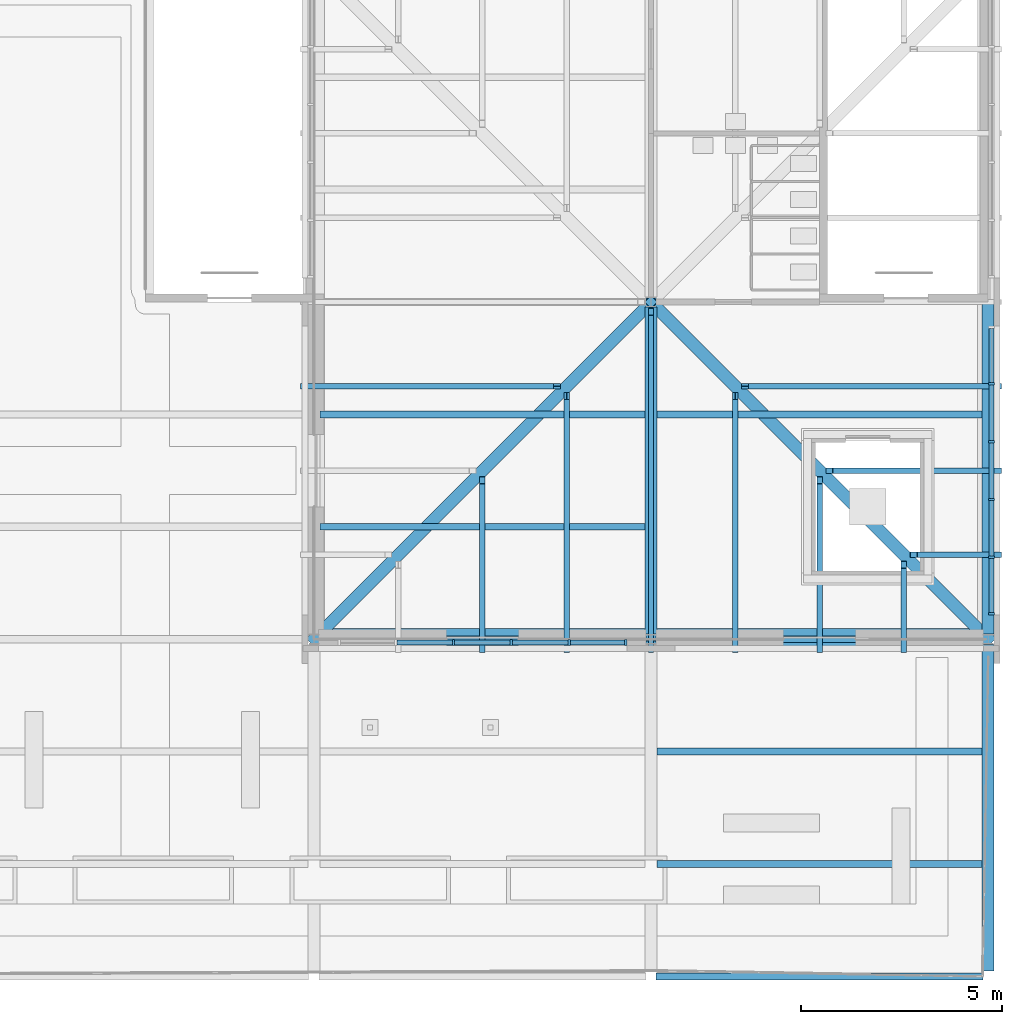
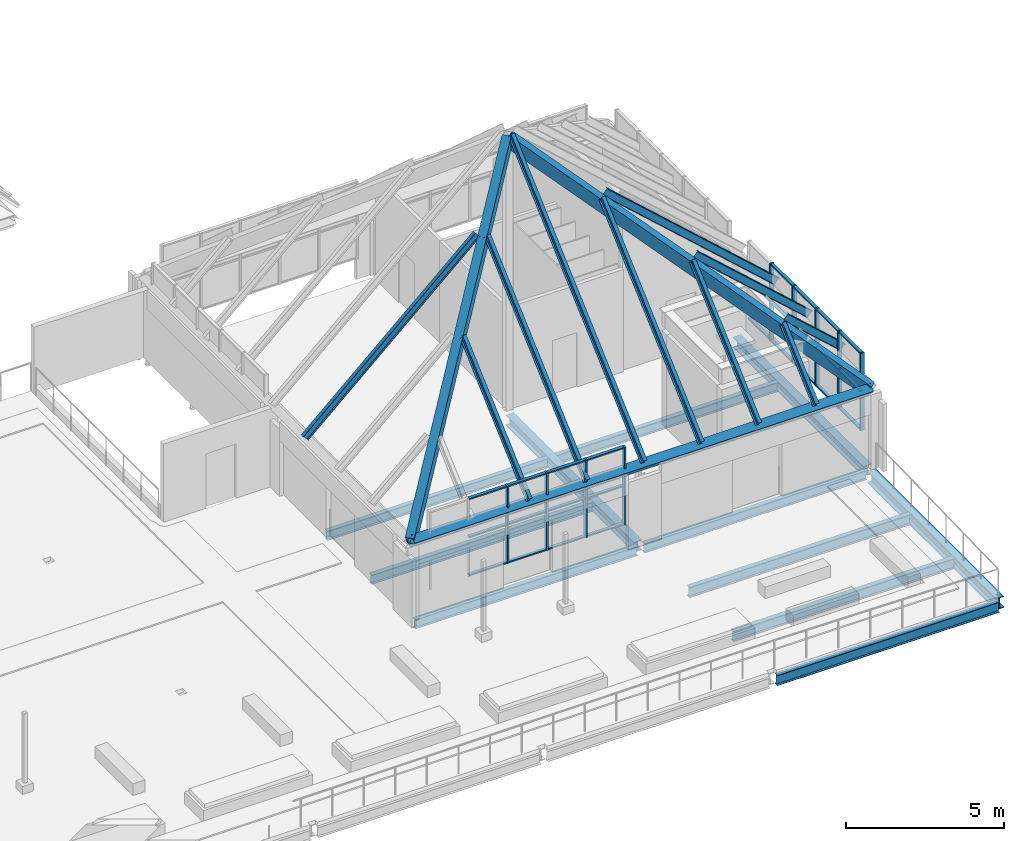
# One storey, part 35 of 126: 45 members, 14 beams, 2 elements without a shape of their own.
"""IFC4 building model written with IfcOpenShell, lengths in metres."""

import ifcopenshell
import ifcopenshell.guid

model = None  # the IFC model being written
_history = None  # IfcOwnerHistory: only IFC2X3 demands one
_inside = {}  # id of a spatial element -> (the spatial element, [elements in it])
_under = {}  # id of a project, library or spatial element -> (it, [spatial elements below it])
_declared = {}  # id of a project -> (the project, [libraries it declares])
_typed = {}  # id of a type object -> (the type object, [elements of that type])
_made_of = {}  # id of a material, layer set ... -> (it, [elements and type objects made of it])


def new_model(schema):
    """Start an empty IFC model of exactly this schema.

    Asked for "IFC4X3", IfcOpenShell would pick the latest addendum, in which some entities
    have other attributes; the version numbers below select the first issue.
    IFC2X3 requires an IfcOwnerHistory on every rooted entity: one is made here for all.
    """
    global model, _history
    if schema == "IFC4X3":
        model = ifcopenshell.file(schema_version=(4, 3, 0, 0))
    else:
        model = ifcopenshell.file(schema=schema)
    _inside.clear()
    _under.clear()
    _declared.clear()
    _typed.clear()
    _made_of.clear()
    _history = None
    if model.schema == "IFC2X3":
        org = make("IfcOrganization", Name="unknown")
        user = make(
            "IfcPersonAndOrganization",
            ThePerson=make("IfcPerson", FamilyName="unknown"),
            TheOrganization=org,
        )
        app = make(
            "IfcApplication",
            ApplicationDeveloper=org,
            Version="unknown",
            ApplicationFullName="unknown",
            ApplicationIdentifier="unknown",
        )
        _history = make(
            "IfcOwnerHistory",
            OwningUser=user,
            OwningApplication=app,
            ChangeAction="ADDED",
            CreationDate=0,
        )
    return model


def make(cls, **values):
    """One entity of the class cls with the attributes given. An attribute that is None is left unset."""
    return model.create_entity(
        cls, **{name: value for name, value in values.items() if value is not None}
    )


def rooted(cls, **values):
    """An entity with a GlobalId (a new one), such as an element, a storey or a relation."""
    return make(cls, GlobalId=ifcopenshell.guid.new(), OwnerHistory=_history, **values)


def si_unit(unit_type, name, prefix=None):
    """IfcSIUnit, for example si_unit("LENGTHUNIT", "METRE", prefix="MILLI")."""
    return make("IfcSIUnit", UnitType=unit_type, Prefix=prefix, Name=name)


def assignment(units):
    """IfcUnitAssignment: the units of a project."""
    return None if units is None else make("IfcUnitAssignment", Units=units)


def point(xyz):
    """IfcCartesianPoint."""
    return None if xyz is None else make("IfcCartesianPoint", Coordinates=xyz)


def direction(xyz):
    """IfcDirection."""
    return None if xyz is None else make("IfcDirection", DirectionRatios=xyz)


def frame(location, z_axis=None, x_axis=None):
    """IfcAxis2Placement3D, a coordinate frame: its origin and axes. An axis left out is left unset."""
    return make(
        "IfcAxis2Placement3D",
        Location=point(location),
        Axis=direction(z_axis),
        RefDirection=direction(x_axis),
    )


def frame_2d(location, x_axis=None):
    """IfcAxis2Placement2D, a coordinate frame in the plane: its origin and x axis."""
    return make(
        "IfcAxis2Placement2D", Location=point(location), RefDirection=direction(x_axis)
    )


def origin():
    """The frame at (0, 0, 0) with its axes left unset."""
    return frame((0.0, 0.0, 0.0))


def origin_2d():
    """The frame at (0, 0) in the plane with its x axis left unset."""
    return frame_2d((0.0, 0.0))


def place(relative_to, where):
    """IfcLocalPlacement: puts the frame where relative to a parent placement (None: the world)."""
    return make(
        "IfcLocalPlacement", PlacementRelTo=relative_to, RelativePlacement=where
    )


def context(
    kind, dimensions, precision=None, world=None, true_north=None, identifier=None
):
    """IfcGeometricRepresentationContext, for example the 3D "Model" context."""
    return make(
        "IfcGeometricRepresentationContext",
        ContextIdentifier=identifier,
        ContextType=kind,
        CoordinateSpaceDimension=dimensions,
        Precision=precision,
        WorldCoordinateSystem=world,
        TrueNorth=true_north,
    )


def subcontext(parent, identifier, kind, view, scale=None):
    """IfcGeometricRepresentationSubContext, for example "Body" below "Model"."""
    return make(
        "IfcGeometricRepresentationSubContext",
        ContextIdentifier=identifier,
        ContextType=kind,
        ParentContext=parent,
        TargetScale=scale,
        TargetView=view,
    )


def project(units=None, contexts=None):
    """IfcProject with its units and contexts."""
    return rooted(
        "IfcProject",
        Name="project",
        RepresentationContexts=contexts,
        UnitsInContext=assignment(units),
    )


def spatial(cls, under=None, at=None, **own):
    """A site, building, storey or space (cls), placed at a placement, below another one or the project."""
    s = rooted(cls, ObjectPlacement=at, **own)
    if under is not None:
        _under.setdefault(under.id(), (under, []))[1].append(s)
    return s


def polyline(points):
    """IfcPolyline through the points."""
    return make("IfcPolyline", Points=[point(p) for p in points])


def profile(cls, at=None, kind="AREA", **sizes):
    """A parametric profile (cls). Its sizes go by their IFC names, for example OverallWidth=200.0."""
    return make(cls, ProfileType=kind, Position=at, **sizes)


def rectangle(**sizes):
    """IfcRectangleProfileDef."""
    return profile("IfcRectangleProfileDef", **sizes)


def i_section(**sizes):
    """IfcIShapeProfileDef."""
    return profile("IfcIShapeProfileDef", **sizes)


def outline(outer, holes=None, kind="AREA"):
    """IfcArbitraryClosedProfileDef: a profile drawn as a closed curve; with holes, ...WithVoids."""
    if holes is None:
        return make("IfcArbitraryClosedProfileDef", ProfileType=kind, OuterCurve=outer)
    return make(
        "IfcArbitraryProfileDefWithVoids",
        ProfileType=kind,
        OuterCurve=outer,
        InnerCurves=holes,
    )


def extrude(swept, where, along, depth):
    """IfcExtrudedAreaSolid: the profile swept, set in the frame where, extruded along a direction by depth."""
    return make(
        "IfcExtrudedAreaSolid",
        SweptArea=swept,
        Position=where,
        ExtrudedDirection=direction(along),
        Depth=depth,
    )


def shape(context_of_items, identifier, shape_type, items):
    """IfcShapeRepresentation: the items that make up one representation, for example the "Body"."""
    return make(
        "IfcShapeRepresentation",
        ContextOfItems=context_of_items,
        RepresentationIdentifier=identifier,
        RepresentationType=shape_type,
        Items=items,
    )


def material(Name=None, Category=None):
    """IfcMaterial."""
    return make("IfcMaterial", Name=Name, Category=Category)


def material_profile(
    of_material, cross_section, Name=None, Category=None, Priority=None
):
    """IfcMaterialProfile: a cross section and its material."""
    return make(
        "IfcMaterialProfile",
        Name=Name,
        Material=of_material,
        Profile=cross_section,
        Priority=Priority,
        Category=Category,
    )


def profile_set(profiles, Name=None, composite=None):
    """IfcMaterialProfileSet."""
    return make(
        "IfcMaterialProfileSet",
        Name=Name,
        MaterialProfiles=profiles,
        CompositeProfile=composite,
    )


def made_of(thing, what):
    """Note that an element or type object is made of a material, layer set ...; save() writes the relation."""
    if what is not None:
        _made_of.setdefault(what.id(), (what, []))[1].append(thing)
    return thing


def type_object(cls, material=None, **own):
    """A type object (cls), such as IfcWallType, which elements share."""
    return made_of(rooted(cls, **own), material)


def element(
    cls,
    number,
    at=None,
    inside=None,
    cuts=None,
    type_object=None,
    material=None,
    context=None,
    identifier="Body",
    shape_type=None,
    held_by="IfcProductDefinitionShape",
    body=None,
    shapes=None,
    **own,
):
    """One element of the class cls, such as IfcWall. Its Tag is "e" and its number.

    at: its placement. inside: the storey or other place that contains it. cuts: it is an
    opening in that element (IfcRelVoidsElement). A single representation is given by context,
    identifier, shape_type and body (its items); several are given by shapes. held_by: the class
    of the entity that holds the representations. save() writes the other relations.
    """
    e = rooted(cls, Tag="e%d" % number, ObjectPlacement=at, **own)
    if body is not None:
        shapes = [shape(context, identifier, shape_type, body)]
    if shapes is not None:
        e.Representation = make(held_by, Representations=shapes)
    if inside is not None:
        _inside.setdefault(inside.id(), (inside, []))[1].append(e)
    if cuts is not None:
        rooted(
            "IfcRelVoidsElement", RelatingBuildingElement=cuts, RelatedOpeningElement=e
        )
    if type_object is not None:
        _typed.setdefault(type_object.id(), (type_object, []))[1].append(e)
    return made_of(e, material)


def aggregate(whole, parts):
    """IfcRelAggregates: a whole, such as a stair, and the parts it consists of."""
    return rooted("IfcRelAggregates", RelatingObject=whole, RelatedObjects=parts)


def save(model, path):
    """Write the relations noted so far, then the file.

    IfcRelAggregates (storeys below a building ...), IfcRelContainedInSpatialStructure (elements
    in a storey), IfcRelDefinesByType, IfcRelAssociatesMaterial and IfcRelDeclares: one each for
    every whole, place, type object, material and project.
    """
    for whole, parts in _under.values():
        aggregate(whole, parts)
    for where, things in _inside.values():
        rooted(
            "IfcRelContainedInSpatialStructure",
            RelatedElements=things,
            RelatingStructure=where,
        )
    for kind, things in _typed.values():
        rooted("IfcRelDefinesByType", RelatedObjects=things, RelatingType=kind)
    for what, things in _made_of.values():
        rooted("IfcRelAssociatesMaterial", RelatedObjects=things, RelatingMaterial=what)
    for by, libraries in _declared.values():
        rooted("IfcRelDeclares", RelatingContext=by, RelatedDefinitions=libraries)
    model.write(path)


model = new_model("IFC4")

# Units and contexts
model_context = context("Model", 3, precision=1e-05, world=origin(), true_north=direction((0.0, 1.0)))
body_context = subcontext(model_context, "Body", "Model", "MODEL_VIEW")
ifc_project = project(units=[si_unit("LENGTHUNIT", "METRE"), si_unit("AREAUNIT", "SQUARE_METRE"), si_unit("VOLUMEUNIT", "CUBIC_METRE"), si_unit("PLANEANGLEUNIT", "RADIAN"), si_unit("MASSUNIT", "GRAM", prefix="KILO")], contexts=[model_context])

# Site, building, storey
site_placement = place(None, origin())
site = spatial("IfcSite", under=ifc_project, at=site_placement, CompositionType="ELEMENT")
building_placement = place(site_placement, origin())
building = spatial("IfcBuilding", under=site, at=building_placement, Name="Sava Quay Ferry Terminal", CompositionType="ELEMENT")
storey_placement = place(building_placement, frame((0.0, 0.0, 15.0)))
storey = spatial("IfcBuildingStorey", under=building, at=storey_placement, Name="L03", CompositionType="ELEMENT", Elevation=15.0)

# Beams
ifc_material_1 = material(Name="Steel S355", Category="steel")
ifc_material_profile_1 = material_profile(ifc_material_1, i_section(OverallWidth=0.169921875, OverallDepth=0.360107421875, WebThickness=0.008056640625, FlangeThickness=0.0126953125, at=origin_2d()), Name="IPE 360")
ifc_profile_set_1 = profile_set([ifc_material_profile_1], Name="Steel S355")
beam_type_1 = type_object("IfcBeamType", Name="Beam IPE 360", PredefinedType="BEAM", material=ifc_profile_set_1)
beam_1_placement = place(storey_placement, frame((109.330078125, 33.60009765625, -0.330078125), z_axis=(1.0, 0.0, 0.0), x_axis=(0.0, 1.0, 0.0)))
element("IfcBeam", 1, at=beam_1_placement, inside=storey, type_object=beam_type_1, Name="Beam L03", PredefinedType="BEAM", context=body_context, shape_type="SweptSolid", body=[
    extrude(i_section(OverallWidth=0.169921875, OverallDepth=0.360107421875, WebThickness=0.008056640625, FlangeThickness=0.0126953125, at=origin_2d()), origin(), (0.0, 0.0, 1.0), 8.139892578125),
])
beam_2_placement = place(storey_placement, frame((117.72998046875, 33.60009765625, -0.330078125), z_axis=(1.0, 0.0, 0.0), x_axis=(0.0, 1.0, 0.0)))
element("IfcBeam", 2, at=beam_2_placement, inside=storey, type_object=beam_type_1, Name="Beam L03", PredefinedType="BEAM", context=body_context, shape_type="SweptSolid", body=[
    extrude(i_section(OverallWidth=0.169921875, OverallDepth=0.360107421875, WebThickness=0.008056640625, FlangeThickness=0.0126953125, at=origin_2d()), origin(), (0.0, 0.0, 1.0), 8.14013671875),
])
for number, where, z_axis, x_axis, name in (
    (3, (109.35009765625, 36.39990234375, -0.31005859375), (1.0, 0.0, 0.0), (0.0, 1.0, 0.0), "Secondary beam L03"),
    (4, (109.35009765625, 39.199951171875, -0.31005859375), (1.0, 0.0, 0.0), (0.0, 1.0, 0.0), "Secondary beam L03"),
):
    element("IfcBeam", number, at=place(storey_placement, frame(where, z_axis=z_axis, x_axis=x_axis)), inside=storey, type_object=beam_type_1, Name=name, PredefinedType="BEAM", context=body_context, shape_type="SweptSolid", body=[
        extrude(i_section(OverallWidth=0.169921875, OverallDepth=0.360107421875, WebThickness=0.008056640625, FlangeThickness=0.0126953125, at=origin_2d()), origin(), (0.0, 0.0, 1.0), 8.099853515625),
    ])
beam_3_placement = place(storey_placement, frame((117.75, 39.199951171875, -0.31005859375), z_axis=(1.0, 0.0, 0.0), x_axis=(0.0, 1.0, 0.0)))
element("IfcBeam", 5, at=beam_3_placement, inside=storey, type_object=beam_type_1, Name="Secondary beam L03", PredefinedType="BEAM", context=body_context, shape_type="SweptSolid", body=[
    extrude(i_section(OverallWidth=0.169921875, OverallDepth=0.360107421875, WebThickness=0.008056640625, FlangeThickness=0.0126953125, at=origin_2d()), origin(), (0.0, 0.0, 1.0), 8.10009765625),
])
ifc_material_2 = material(Name="Steel S355", Category="steel")
ifc_material_profile_2 = material_profile(ifc_material_2, i_section(OverallWidth=0.179931640625, OverallDepth=0.39990234375, WebThickness=0.008544921875, FlangeThickness=0.013427734375, at=origin_2d()), Name="IPE 400")
ifc_profile_set_2 = profile_set([ifc_material_profile_2], Name="Steel S355")
beam_type_2 = type_object("IfcBeamType", Name="Beam IPE 400", PredefinedType="BEAM", material=ifc_profile_set_2)
beam_4_placement = place(storey_placement, frame((117.72998046875, 25.199951171875, -0.35009765625), z_axis=(1.0, 0.0, 0.0), x_axis=(0.0, 1.0, 0.0)))
element("IfcBeam", 6, at=beam_4_placement, inside=storey, type_object=beam_type_2, Name="Beam L03", PredefinedType="BEAM", context=body_context, shape_type="SweptSolid", body=[
    extrude(i_section(OverallWidth=0.179931640625, OverallDepth=0.39990234375, WebThickness=0.008544921875, FlangeThickness=0.013427734375, at=origin_2d()), origin(), (0.0, 0.0, 1.0), 8.14013671875),
])
for number, where, z_axis, x_axis, name in (
    (7, (117.75, 28.0, -0.35009765625), (1.0, 0.0, 0.0), (0.0, 1.0, 0.0), "Secondary beam L03"),
    (8, (117.75, 30.800048828125, -0.35009765625), (1.0, 0.0, 0.0), (0.0, 1.0, 0.0), "Secondary beam L03"),
):
    element("IfcBeam", number, at=place(storey_placement, frame(where, z_axis=z_axis, x_axis=x_axis)), inside=storey, type_object=beam_type_2, Name=name, PredefinedType="BEAM", context=body_context, shape_type="SweptSolid", body=[
        extrude(i_section(OverallWidth=0.179931640625, OverallDepth=0.39990234375, WebThickness=0.008544921875, FlangeThickness=0.013427734375, at=origin_2d()), origin(), (0.0, 0.0, 1.0), 8.10009765625),
    ])
ifc_material_3 = material(Name="Steel S355", Category="steel")
ifc_material_profile_3 = material_profile(ifc_material_3, outline(polyline([(-0.14990234375, -0.228515625), (0.14990234375, -0.228515625), (0.14990234375, 0.228515625), (-0.14990234375, 0.228515625), (-0.14990234375, -0.228515625)]), holes=[polyline([(-0.1298828125, -0.20849609375), (-0.1298828125, 0.20849609375), (0.1298828125, 0.20849609375), (0.1298828125, -0.20849609375), (-0.1298828125, -0.20849609375)])]), Name="Box 457x300x20 built-up")
ifc_profile_set_3 = profile_set([ifc_material_profile_3], Name="Steel S355")
beam_type_3 = type_object("IfcBeamType", Name="Fascia beam Box 457x300x20", PredefinedType="BEAM", material=ifc_profile_set_3)
beam_5_placement = place(storey_placement, frame((117.60009765625, 42.0, 10.46337890625), z_axis=(-0.596480074169, -0.59646273816, -0.53706957008), x_axis=(0.707096505339, -0.707117056885, 0.0)))
element("IfcBeam", 9, at=beam_5_placement, inside=storey, type_object=beam_type_3, Name="East pavilion hip fascia beam HI1", PredefinedType="BEAM", context=body_context, shape_type="SweptSolid", body=[
    extrude(outline(polyline([(-0.14990234375, -0.228515625), (0.14990234375, -0.228515625), (0.14990234375, 0.228515625), (-0.14990234375, 0.228515625), (-0.14990234375, -0.228515625)]), holes=[polyline([(-0.1298828125, -0.20849609375), (-0.1298828125, 0.20849609375), (0.1298828125, 0.20849609375), (0.1298828125, -0.20849609375), (-0.1298828125, -0.20849609375)])]), origin(), (0.0, 0.0, 1.0), 14.082763671875),
])
beam_6_placement = place(storey_placement, frame((109.199951171875, 33.60009765625, 2.89990234375), z_axis=(1.0, 0.0, 0.0), x_axis=(0.0, 0.743144825477, 0.669130606359)))
element("IfcBeam", 10, at=beam_6_placement, inside=storey, type_object=beam_type_3, Name="East pavilion eave fascia beam EA2", PredefinedType="BEAM", context=body_context, shape_type="SweptSolid", body=[
    extrude(outline(polyline([(-0.14990234375, -0.228515625), (0.14990234375, -0.228515625), (0.14990234375, 0.228515625), (-0.14990234375, 0.228515625), (-0.14990234375, -0.228515625)]), holes=[polyline([(-0.1298828125, -0.20849609375), (-0.1298828125, 0.20849609375), (0.1298828125, 0.20849609375), (0.1298828125, -0.20849609375), (-0.1298828125, -0.20849609375)])]), origin(), (0.0, 0.0, 1.0), 16.800048828125),
])
beam_7_placement = place(storey_placement, frame((126.0, 33.60009765625, 2.89990234375), z_axis=(-0.596468905939, 0.596468905939, 0.537075123699), x_axis=(-0.707106781187, -0.707106781187, 0.0)))
element("IfcBeam", 11, at=beam_7_placement, inside=storey, type_object=beam_type_3, Name="East pavilion hip fascia beam HI3", PredefinedType="BEAM", context=body_context, shape_type="SweptSolid", body=[
    extrude(outline(polyline([(-0.14990234375, -0.228515625), (0.14990234375, -0.228515625), (0.14990234375, 0.228515625), (-0.14990234375, 0.228515625), (-0.14990234375, -0.228515625)]), holes=[polyline([(-0.1298828125, -0.20849609375), (-0.1298828125, 0.20849609375), (0.1298828125, 0.20849609375), (0.1298828125, -0.20849609375), (-0.1298828125, -0.20849609375)])]), origin(), (0.0, 0.0, 1.0), 14.082763671875),
])
ifc_material_4 = material(Name="Steel S355", Category="steel")
ifc_material_profile_4 = material_profile(ifc_material_4, i_section(OverallWidth=0.300048828125, OverallDepth=0.389892578125, WebThickness=0.010986328125, FlangeThickness=0.01904296875, at=origin_2d()), Name="HE 400 A")
ifc_profile_set_4 = profile_set([ifc_material_profile_4], Name="Steel S355")
beam_type_4 = type_object("IfcBeamType", Name="Girder HE 400 A", PredefinedType="BEAM", material=ifc_profile_set_4)
beam_8_placement = place(storey_placement, frame((117.60009765625, 33.72998046875, -0.324951171875), z_axis=(0.0, 1.0, 0.0), x_axis=(-1.0, 0.0, 0.0)))
element("IfcBeam", 12, at=beam_8_placement, inside=storey, type_object=beam_type_4, Name="Girder L03", PredefinedType="BEAM", context=body_context, shape_type="SweptSolid", body=[
    extrude(i_section(OverallWidth=0.300048828125, OverallDepth=0.389892578125, WebThickness=0.010986328125, FlangeThickness=0.01904296875, at=origin_2d()), origin(), (0.0, 0.0, 1.0), 8.14013671875),
])
beam_9_placement = place(storey_placement, frame((126.0, 33.72998046875, -0.324951171875), z_axis=(0.0, 1.0, 0.0), x_axis=(-1.0, 0.0, 0.0)))
element("IfcBeam", 13, at=beam_9_placement, inside=storey, type_object=beam_type_4, Name="Girder L03", PredefinedType="BEAM", context=body_context, shape_type="SweptSolid", body=[
    extrude(i_section(OverallWidth=0.300048828125, OverallDepth=0.389892578125, WebThickness=0.010986328125, FlangeThickness=0.01904296875, at=origin_2d()), origin(), (0.0, 0.0, 1.0), 8.27001953125),
])
ifc_material_5 = material(Name="Steel S355", Category="steel")
ifc_material_profile_5 = material_profile(ifc_material_5, i_section(OverallWidth=0.300048828125, OverallDepth=0.449951171875, WebThickness=0.013916015625, FlangeThickness=0.02587890625, at=origin_2d()), Name="HE 450 B")
ifc_profile_set_5 = profile_set([ifc_material_profile_5], Name="Steel S355")
beam_type_5 = type_object("IfcBeamType", Name="Girder HE 450 B", PredefinedType="BEAM", material=ifc_profile_set_5)
beam_10_placement = place(storey_placement, frame((126.0, 25.330078125, -0.375), z_axis=(0.0, 1.0, 0.0), x_axis=(-1.0, 0.0, 0.0)))
element("IfcBeam", 14, at=beam_10_placement, inside=storey, type_object=beam_type_5, Name="Girder L03", PredefinedType="BEAM", context=body_context, shape_type="SweptSolid", body=[
    extrude(i_section(OverallWidth=0.300048828125, OverallDepth=0.449951171875, WebThickness=0.013916015625, FlangeThickness=0.02587890625, at=origin_2d()), origin(), (0.0, 0.0, 1.0), 8.139892578125),
])

# Curtain wall, members
ifc_material_6 = material(Name="Aluminium and glass curtain wall, double low-e glazed", Category="aluminium")
curtain_wall_type = type_object("IfcCurtainWallType", Name="Curtain wall CW-F flank", PredefinedType="NOTDEFINED", material=ifc_material_6)
curtain_wall_1_placement = place(storey_placement, origin())
curtain_wall_1 = element("IfcCurtainWall", 15, at=curtain_wall_1_placement, inside=storey, type_object=curtain_wall_type, Name="Curtain wall P-PAV-E L03 bay 1", PredefinedType="NOTDEFINED")
ifc_material_7 = material(Name="Aluminium EN AW-6063 T6", Category="aluminium")
ifc_material_profile_6 = material_profile(ifc_material_7, rectangle(XDim=0.14990234375, YDim=0.06005859375, at=origin_2d()), Name="Mullion 60x150 aluminium")
ifc_profile_set_6 = profile_set([ifc_material_profile_6], Name="Aluminium EN AW-6063 T6")
member_type_1 = type_object("IfcMemberType", Name="Mullion 60x150 aluminium", PredefinedType="MULLION", material=ifc_profile_set_6)
member_1_placement = place(storey_placement, frame((126.0849609375, 34.22998046875, 0.89990234375), z_axis=(0.0, 0.0, 1.0), x_axis=(-1.0, 0.0, 0.0)))
member_1 = element("IfcMember", 16, at=member_1_placement, type_object=member_type_1, Name="CW113 mullion 1", PredefinedType="MULLION", context=body_context, shape_type="SweptSolid", body=[
    extrude(rectangle(XDim=0.14990234375, YDim=0.06005859375, at=origin_2d()), origin(), (0.0, 0.0, 1.0), 3.0),
])
member_2_placement = place(storey_placement, frame((126.0849609375, 35.639892578125, 0.89990234375), z_axis=(0.0, 0.0, 1.0), x_axis=(-1.0, 0.0, 0.0)))
member_2 = element("IfcMember", 17, at=member_2_placement, type_object=member_type_1, Name="CW113 mullion 2", PredefinedType="MULLION", context=body_context, shape_type="SweptSolid", body=[
    extrude(rectangle(XDim=0.14990234375, YDim=0.06005859375, at=origin_2d()), origin(), (0.0, 0.0, 1.0), 3.0),
])
member_3_placement = place(storey_placement, frame((126.0849609375, 37.080078125, 0.89990234375), z_axis=(0.0, 0.0, 1.0), x_axis=(-1.0, 0.0, 0.0)))
member_3 = element("IfcMember", 18, at=member_3_placement, type_object=member_type_1, Name="CW113 mullion 3", PredefinedType="MULLION", context=body_context, shape_type="SweptSolid", body=[
    extrude(rectangle(XDim=0.14990234375, YDim=0.06005859375, at=origin_2d()), origin(), (0.0, 0.0, 1.0), 3.0),
])
member_4_placement = place(storey_placement, frame((126.0849609375, 38.52001953125, 0.89990234375), z_axis=(0.0, 0.0, 1.0), x_axis=(-1.0, 0.0, 0.0)))
member_4 = element("IfcMember", 19, at=member_4_placement, type_object=member_type_1, Name="CW113 mullion 4", PredefinedType="MULLION", context=body_context, shape_type="SweptSolid", body=[
    extrude(rectangle(XDim=0.14990234375, YDim=0.06005859375, at=origin_2d()), origin(), (0.0, 0.0, 1.0), 3.0),
])
member_5_placement = place(storey_placement, frame((126.0849609375, 39.9599609375, 0.89990234375), z_axis=(0.0, 0.0, 1.0), x_axis=(-1.0, 0.0, 0.0)))
member_5 = element("IfcMember", 20, at=member_5_placement, type_object=member_type_1, Name="CW113 mullion 5", PredefinedType="MULLION", context=body_context, shape_type="SweptSolid", body=[
    extrude(rectangle(XDim=0.14990234375, YDim=0.06005859375, at=origin_2d()), origin(), (0.0, 0.0, 1.0), 3.0),
])

curtain_wall_2_placement = place(storey_placement, origin())
curtain_wall_2 = element("IfcCurtainWall", 21, at=curtain_wall_2_placement, inside=storey, type_object=curtain_wall_type, Name="Curtain wall P-PAV-S L03 bay 1", PredefinedType="NOTDEFINED")
member_6_placement = place(storey_placement, frame((112.679931640625, 33.514892578125, 0.89990234375), z_axis=(0.0, 0.0, 1.0), x_axis=(0.0, 1.0, 0.0)))
member_6 = element("IfcMember", 22, at=member_6_placement, type_object=member_type_1, Name="CW117 mullion 3", PredefinedType="MULLION", context=body_context, shape_type="SweptSolid", body=[
    extrude(rectangle(XDim=0.14990234375, YDim=0.06005859375, at=origin_2d()), origin(), (0.0, 0.0, 1.0), 3.0),
])
member_7_placement = place(storey_placement, frame((114.1201171875, 33.514892578125, 0.89990234375), z_axis=(0.0, 0.0, 1.0), x_axis=(0.0, 1.0, 0.0)))
member_7 = element("IfcMember", 23, at=member_7_placement, type_object=member_type_1, Name="CW117 mullion 4", PredefinedType="MULLION", context=body_context, shape_type="SweptSolid", body=[
    extrude(rectangle(XDim=0.14990234375, YDim=0.06005859375, at=origin_2d()), origin(), (0.0, 0.0, 1.0), 3.0),
])
member_8_placement = place(storey_placement, frame((115.56005859375, 33.514892578125, 0.89990234375), z_axis=(0.0, 0.0, 1.0), x_axis=(0.0, 1.0, 0.0)))
member_8 = element("IfcMember", 24, at=member_8_placement, type_object=member_type_1, Name="CW117 mullion 5", PredefinedType="MULLION", context=body_context, shape_type="SweptSolid", body=[
    extrude(rectangle(XDim=0.14990234375, YDim=0.06005859375, at=origin_2d()), origin(), (0.0, 0.0, 1.0), 3.0),
])
member_9_placement = place(storey_placement, frame((116.969970703125, 33.514892578125, 0.89990234375), z_axis=(0.0, 0.0, 1.0), x_axis=(0.0, 1.0, 0.0)))
member_9 = element("IfcMember", 25, at=member_9_placement, type_object=member_type_1, Name="CW117 mullion 6", PredefinedType="MULLION", context=body_context, shape_type="SweptSolid", body=[
    extrude(rectangle(XDim=0.14990234375, YDim=0.06005859375, at=origin_2d()), origin(), (0.0, 0.0, 1.0), 3.0),
])

# Members
ifc_material_8 = material(Name="Steel S355", Category="steel")
ifc_material_profile_7 = material_profile(ifc_material_8, i_section(OverallWidth=0.135009765625, OverallDepth=0.27001953125, WebThickness=0.006591796875, FlangeThickness=0.01025390625, at=origin_2d()), Name="IPE 270")
ifc_profile_set_7 = profile_set([ifc_material_profile_7], Name="Steel S355")
member_type_2 = type_object("IfcMemberType", Name="Roof rafter IPE 270", PredefinedType="RAFTER", material=ifc_profile_set_7)
member_10_placement = place(storey_placement, frame((113.39990234375, 33.356689453125, 3.170166015625), z_axis=(0.0, 0.743156664694, 0.669117457342), x_axis=(-1.0, 0.0, 0.0)))
element("IfcMember", 26, at=member_10_placement, inside=storey, type_object=member_type_2, Name="East pavilion rafter RA2", PredefinedType="RAFTER", context=body_context, shape_type="SweptSolid", body=[
    extrude(i_section(OverallWidth=0.135009765625, OverallDepth=0.27001953125, WebThickness=0.006591796875, FlangeThickness=0.01025390625, at=origin_2d()), origin(), (0.0, 0.0, 1.0), 5.65185546875),
])
member_11_placement = place(storey_placement, frame((115.5, 33.356689453125, 3.170166015625), z_axis=(0.0, 0.743143770971, 0.669131777505), x_axis=(-1.0, 0.0, 0.0)))
element("IfcMember", 27, at=member_11_placement, inside=storey, type_object=member_type_2, Name="East pavilion rafter RA3", PredefinedType="RAFTER", context=body_context, shape_type="SweptSolid", body=[
    extrude(i_section(OverallWidth=0.135009765625, OverallDepth=0.27001953125, WebThickness=0.006591796875, FlangeThickness=0.01025390625, at=origin_2d()), origin(), (0.0, 0.0, 1.0), 8.4775390625),
])
member_12_placement = place(storey_placement, frame((117.60009765625, 33.356689453125, 3.170166015625), z_axis=(0.0, 0.74314699448, 0.66912819743), x_axis=(-1.0, 0.0, 0.0)))
element("IfcMember", 28, at=member_12_placement, inside=storey, type_object=member_type_2, Name="East pavilion rafter RA4", PredefinedType="RAFTER", context=body_context, shape_type="SweptSolid", body=[
    extrude(i_section(OverallWidth=0.135009765625, OverallDepth=0.27001953125, WebThickness=0.006591796875, FlangeThickness=0.01025390625, at=origin_2d()), origin(), (0.0, 0.0, 1.0), 11.303466796875),
])
member_13_placement = place(storey_placement, frame((119.699951171875, 33.356689453125, 3.170166015625), z_axis=(0.0, 0.743143770971, 0.669131777505), x_axis=(-1.0, 0.0, 0.0)))
element("IfcMember", 29, at=member_13_placement, inside=storey, type_object=member_type_2, Name="East pavilion rafter RA5", PredefinedType="RAFTER", context=body_context, shape_type="SweptSolid", body=[
    extrude(i_section(OverallWidth=0.135009765625, OverallDepth=0.27001953125, WebThickness=0.006591796875, FlangeThickness=0.01025390625, at=origin_2d()), origin(), (0.0, 0.0, 1.0), 8.4775390625),
])
member_14_placement = place(storey_placement, frame((121.800048828125, 33.356689453125, 3.170166015625), z_axis=(0.0, 0.743156664694, 0.669117457342), x_axis=(-1.0, 0.0, 0.0)))
element("IfcMember", 30, at=member_14_placement, inside=storey, type_object=member_type_2, Name="East pavilion rafter RA6", PredefinedType="RAFTER", context=body_context, shape_type="SweptSolid", body=[
    extrude(i_section(OverallWidth=0.135009765625, OverallDepth=0.27001953125, WebThickness=0.006591796875, FlangeThickness=0.01025390625, at=origin_2d()), origin(), (0.0, 0.0, 1.0), 5.65185546875),
])
member_15_placement = place(storey_placement, frame((123.89990234375, 33.356689453125, 3.170166015625), z_axis=(0.0, 0.743156664694, 0.669117457342), x_axis=(-1.0, 0.0, 0.0)))
element("IfcMember", 31, at=member_15_placement, inside=storey, type_object=member_type_2, Name="East pavilion rafter RA7", PredefinedType="RAFTER", context=body_context, shape_type="SweptSolid", body=[
    extrude(i_section(OverallWidth=0.135009765625, OverallDepth=0.27001953125, WebThickness=0.006591796875, FlangeThickness=0.01025390625, at=origin_2d()), origin(), (0.0, 0.0, 1.0), 2.825927734375),
])
member_16_placement = place(storey_placement, frame((126.2431640625, 35.699951171875, 3.170166015625), z_axis=(-0.743117981041, 0.0, 0.669160418923), x_axis=(0.0, -1.0, 0.0)))
element("IfcMember", 32, at=member_16_placement, inside=storey, type_object=member_type_2, Name="East pavilion rafter RA8", PredefinedType="RAFTER", context=body_context, shape_type="SweptSolid", body=[
    extrude(i_section(OverallWidth=0.135009765625, OverallDepth=0.27001953125, WebThickness=0.006591796875, FlangeThickness=0.01025390625, at=origin_2d()), origin(), (0.0, 0.0, 1.0), 2.82568359375),
])
member_17_placement = place(storey_placement, frame((126.2431640625, 37.800048828125, 3.170166015625), z_axis=(-0.743137323799, 0.0, 0.669138937723), x_axis=(0.0, -1.0, 0.0)))
element("IfcMember", 33, at=member_17_placement, inside=storey, type_object=member_type_2, Name="East pavilion rafter RA9", PredefinedType="RAFTER", context=body_context, shape_type="SweptSolid", body=[
    extrude(i_section(OverallWidth=0.135009765625, OverallDepth=0.27001953125, WebThickness=0.006591796875, FlangeThickness=0.01025390625, at=origin_2d()), origin(), (0.0, 0.0, 1.0), 5.651611328125),
])
for number, where, z_axis, x_axis, name in (
    (34, (126.2431640625, 39.89990234375, 3.170166015625), (-0.743143770971, 0.0, 0.669131777505), (0.0, -1.0, 0.0), "East pavilion rafter RA10"),
    (35, (108.956787109375, 39.89990234375, 3.170166015625), (0.743143770971, 0.0, 0.669131777505), (0.0, 1.0, 0.0), "East pavilion rafter RA26"),
):
    element("IfcMember", number, at=place(storey_placement, frame(where, z_axis=z_axis, x_axis=x_axis)), inside=storey, type_object=member_type_2, Name=name, PredefinedType="RAFTER", context=body_context, shape_type="SweptSolid", body=[
        extrude(i_section(OverallWidth=0.135009765625, OverallDepth=0.27001953125, WebThickness=0.006591796875, FlangeThickness=0.01025390625, at=origin_2d()), origin(), (0.0, 0.0, 1.0), 8.4775390625),
    ])

# Member
ifc_material_9 = material(Name="Aluminium EN AW-6063 T6", Category="aluminium")
ifc_material_profile_8 = material_profile(ifc_material_9, rectangle(XDim=0.1201171875, YDim=0.050048828125, at=origin_2d()), Name="Transom 50x120 aluminium")
ifc_profile_set_8 = profile_set([ifc_material_profile_8], Name="Aluminium EN AW-6063 T6")
member_type_3 = type_object("IfcMemberType", Name="Transom 50x120 aluminium", PredefinedType="USERDEFINED", material=ifc_profile_set_8)
member_18_placement = place(storey_placement, frame((126.0849609375, 34.260009765625, 0.925048828125), z_axis=(0.0, 1.0, 0.0), x_axis=(-1.0, 0.0, 0.0)))
member_18 = element("IfcMember", 36, at=member_18_placement, type_object=member_type_3, Name="CW113 transom 1.1", ObjectType="TRANSOM", PredefinedType="USERDEFINED", context=body_context, shape_type="SweptSolid", body=[
    extrude(rectangle(XDim=0.1201171875, YDim=0.050048828125, at=origin_2d()), origin(), (0.0, 0.0, 1.0), 1.35009765625),
])

member_19_placement = place(storey_placement, frame((126.0849609375, 34.260009765625, 2.39990234375), z_axis=(0.0, 1.0, 0.0), x_axis=(-1.0, 0.0, 0.0)))
member_19 = element("IfcMember", 37, at=member_19_placement, type_object=member_type_3, Name="CW113 transom 1.2", ObjectType="TRANSOM", PredefinedType="USERDEFINED", context=body_context, shape_type="SweptSolid", body=[
    extrude(rectangle(XDim=0.1201171875, YDim=0.050048828125, at=origin_2d()), origin(), (0.0, 0.0, 1.0), 1.35009765625),
])

member_20_placement = place(storey_placement, frame((126.0849609375, 34.260009765625, 3.875), z_axis=(0.0, 1.0, 0.0), x_axis=(-1.0, 0.0, 0.0)))
member_20 = element("IfcMember", 38, at=member_20_placement, type_object=member_type_3, Name="CW113 transom 1.3", ObjectType="TRANSOM", PredefinedType="USERDEFINED", context=body_context, shape_type="SweptSolid", body=[
    extrude(rectangle(XDim=0.1201171875, YDim=0.050048828125, at=origin_2d()), origin(), (0.0, 0.0, 1.0), 1.35009765625),
])

member_21_placement = place(storey_placement, frame((126.0849609375, 35.669921875, 0.925048828125), z_axis=(0.0, 1.0, 0.0), x_axis=(-1.0, 0.0, 0.0)))
member_21 = element("IfcMember", 39, at=member_21_placement, type_object=member_type_3, Name="CW113 transom 2.1", ObjectType="TRANSOM", PredefinedType="USERDEFINED", context=body_context, shape_type="SweptSolid", body=[
    extrude(rectangle(XDim=0.1201171875, YDim=0.050048828125, at=origin_2d()), origin(), (0.0, 0.0, 1.0), 1.380126953125),
])

member_22_placement = place(storey_placement, frame((126.0849609375, 35.669921875, 2.39990234375), z_axis=(0.0, 1.0, 0.0), x_axis=(-1.0, 0.0, 0.0)))
member_22 = element("IfcMember", 40, at=member_22_placement, type_object=member_type_3, Name="CW113 transom 2.2", ObjectType="TRANSOM", PredefinedType="USERDEFINED", context=body_context, shape_type="SweptSolid", body=[
    extrude(rectangle(XDim=0.1201171875, YDim=0.050048828125, at=origin_2d()), origin(), (0.0, 0.0, 1.0), 1.380126953125),
])

member_23_placement = place(storey_placement, frame((126.0849609375, 35.669921875, 3.875), z_axis=(0.0, 1.0, 0.0), x_axis=(-1.0, 0.0, 0.0)))
member_23 = element("IfcMember", 41, at=member_23_placement, type_object=member_type_3, Name="CW113 transom 2.3", ObjectType="TRANSOM", PredefinedType="USERDEFINED", context=body_context, shape_type="SweptSolid", body=[
    extrude(rectangle(XDim=0.1201171875, YDim=0.050048828125, at=origin_2d()), origin(), (0.0, 0.0, 1.0), 1.380126953125),
])

member_24_placement = place(storey_placement, frame((126.0849609375, 37.110107421875, 0.925048828125), z_axis=(0.0, 1.0, 0.0), x_axis=(-1.0, 0.0, 0.0)))
member_24 = element("IfcMember", 42, at=member_24_placement, type_object=member_type_3, Name="CW113 transom 3.1", ObjectType="TRANSOM", PredefinedType="USERDEFINED", context=body_context, shape_type="SweptSolid", body=[
    extrude(rectangle(XDim=0.1201171875, YDim=0.050048828125, at=origin_2d()), origin(), (0.0, 0.0, 1.0), 1.3798828125),
])

member_25_placement = place(storey_placement, frame((126.0849609375, 37.110107421875, 2.39990234375), z_axis=(0.0, 1.0, 0.0), x_axis=(-1.0, 0.0, 0.0)))
member_25 = element("IfcMember", 43, at=member_25_placement, type_object=member_type_3, Name="CW113 transom 3.2", ObjectType="TRANSOM", PredefinedType="USERDEFINED", context=body_context, shape_type="SweptSolid", body=[
    extrude(rectangle(XDim=0.1201171875, YDim=0.050048828125, at=origin_2d()), origin(), (0.0, 0.0, 1.0), 1.3798828125),
])

member_26_placement = place(storey_placement, frame((126.0849609375, 37.110107421875, 3.875), z_axis=(0.0, 1.0, 0.0), x_axis=(-1.0, 0.0, 0.0)))
member_26 = element("IfcMember", 44, at=member_26_placement, type_object=member_type_3, Name="CW113 transom 3.3", ObjectType="TRANSOM", PredefinedType="USERDEFINED", context=body_context, shape_type="SweptSolid", body=[
    extrude(rectangle(XDim=0.1201171875, YDim=0.050048828125, at=origin_2d()), origin(), (0.0, 0.0, 1.0), 1.3798828125),
])

member_27_placement = place(storey_placement, frame((126.0849609375, 38.550048828125, 0.925048828125), z_axis=(0.0, 1.0, 0.0), x_axis=(-1.0, 0.0, 0.0)))
member_27 = element("IfcMember", 45, at=member_27_placement, type_object=member_type_3, Name="CW113 transom 4.1", ObjectType="TRANSOM", PredefinedType="USERDEFINED", context=body_context, shape_type="SweptSolid", body=[
    extrude(rectangle(XDim=0.1201171875, YDim=0.050048828125, at=origin_2d()), origin(), (0.0, 0.0, 1.0), 1.3798828125),
])

member_28_placement = place(storey_placement, frame((126.0849609375, 38.550048828125, 2.39990234375), z_axis=(0.0, 1.0, 0.0), x_axis=(-1.0, 0.0, 0.0)))
member_28 = element("IfcMember", 46, at=member_28_placement, type_object=member_type_3, Name="CW113 transom 4.2", ObjectType="TRANSOM", PredefinedType="USERDEFINED", context=body_context, shape_type="SweptSolid", body=[
    extrude(rectangle(XDim=0.1201171875, YDim=0.050048828125, at=origin_2d()), origin(), (0.0, 0.0, 1.0), 1.3798828125),
])

member_29_placement = place(storey_placement, frame((126.0849609375, 38.550048828125, 3.875), z_axis=(0.0, 1.0, 0.0), x_axis=(-1.0, 0.0, 0.0)))
member_29 = element("IfcMember", 47, at=member_29_placement, type_object=member_type_3, Name="CW113 transom 4.3", ObjectType="TRANSOM", PredefinedType="USERDEFINED", context=body_context, shape_type="SweptSolid", body=[
    extrude(rectangle(XDim=0.1201171875, YDim=0.050048828125, at=origin_2d()), origin(), (0.0, 0.0, 1.0), 1.3798828125),
])

member_30_placement = place(storey_placement, frame((126.0849609375, 39.989990234375, 0.925048828125), z_axis=(0.0, 1.0, 0.0), x_axis=(-1.0, 0.0, 0.0)))
member_30 = element("IfcMember", 48, at=member_30_placement, type_object=member_type_3, Name="CW113 transom 5.1", ObjectType="TRANSOM", PredefinedType="USERDEFINED", context=body_context, shape_type="SweptSolid", body=[
    extrude(rectangle(XDim=0.1201171875, YDim=0.050048828125, at=origin_2d()), origin(), (0.0, 0.0, 1.0), 1.35009765625),
])

member_31_placement = place(storey_placement, frame((126.0849609375, 39.989990234375, 2.39990234375), z_axis=(0.0, 1.0, 0.0), x_axis=(-1.0, 0.0, 0.0)))
member_31 = element("IfcMember", 49, at=member_31_placement, type_object=member_type_3, Name="CW113 transom 5.2", ObjectType="TRANSOM", PredefinedType="USERDEFINED", context=body_context, shape_type="SweptSolid", body=[
    extrude(rectangle(XDim=0.1201171875, YDim=0.050048828125, at=origin_2d()), origin(), (0.0, 0.0, 1.0), 1.35009765625),
])

aggregate(curtain_wall_1, [member_1, member_2, member_3, member_4, member_5, member_18, member_19, member_20, member_21, member_22, member_23, member_24, member_25, member_26, member_27, member_28, member_29, member_30, member_31])

member_32_placement = place(storey_placement, frame((111.27001953125, 33.514892578125, 0.925048828125), z_axis=(1.0, 0.0, 0.0), x_axis=(0.0, 1.0, 0.0)))
member_32 = element("IfcMember", 50, at=member_32_placement, type_object=member_type_3, Name="CW117 transom 2.1", ObjectType="TRANSOM", PredefinedType="USERDEFINED", context=body_context, shape_type="SweptSolid", body=[
    extrude(rectangle(XDim=0.1201171875, YDim=0.050048828125, at=origin_2d()), origin(), (0.0, 0.0, 1.0), 1.3798828125),
])

member_33_placement = place(storey_placement, frame((111.27001953125, 33.514892578125, 2.39990234375), z_axis=(1.0, 0.0, 0.0), x_axis=(0.0, 1.0, 0.0)))
member_33 = element("IfcMember", 51, at=member_33_placement, type_object=member_type_3, Name="CW117 transom 2.2", ObjectType="TRANSOM", PredefinedType="USERDEFINED", context=body_context, shape_type="SweptSolid", body=[
    extrude(rectangle(XDim=0.1201171875, YDim=0.050048828125, at=origin_2d()), origin(), (0.0, 0.0, 1.0), 1.3798828125),
])

member_34_placement = place(storey_placement, frame((111.27001953125, 33.514892578125, 3.875), z_axis=(1.0, 0.0, 0.0), x_axis=(0.0, 1.0, 0.0)))
member_34 = element("IfcMember", 52, at=member_34_placement, type_object=member_type_3, Name="CW117 transom 2.3", ObjectType="TRANSOM", PredefinedType="USERDEFINED", context=body_context, shape_type="SweptSolid", body=[
    extrude(rectangle(XDim=0.1201171875, YDim=0.050048828125, at=origin_2d()), origin(), (0.0, 0.0, 1.0), 1.3798828125),
])

member_35_placement = place(storey_placement, frame((112.7099609375, 33.514892578125, 0.925048828125), z_axis=(1.0, 0.0, 0.0), x_axis=(0.0, 1.0, 0.0)))
member_35 = element("IfcMember", 53, at=member_35_placement, type_object=member_type_3, Name="CW117 transom 3.1", ObjectType="TRANSOM", PredefinedType="USERDEFINED", context=body_context, shape_type="SweptSolid", body=[
    extrude(rectangle(XDim=0.1201171875, YDim=0.050048828125, at=origin_2d()), origin(), (0.0, 0.0, 1.0), 1.380126953125),
])

member_36_placement = place(storey_placement, frame((112.7099609375, 33.514892578125, 2.39990234375), z_axis=(1.0, 0.0, 0.0), x_axis=(0.0, 1.0, 0.0)))
member_36 = element("IfcMember", 54, at=member_36_placement, type_object=member_type_3, Name="CW117 transom 3.2", ObjectType="TRANSOM", PredefinedType="USERDEFINED", context=body_context, shape_type="SweptSolid", body=[
    extrude(rectangle(XDim=0.1201171875, YDim=0.050048828125, at=origin_2d()), origin(), (0.0, 0.0, 1.0), 1.380126953125),
])

member_37_placement = place(storey_placement, frame((112.7099609375, 33.514892578125, 3.875), z_axis=(1.0, 0.0, 0.0), x_axis=(0.0, 1.0, 0.0)))
member_37 = element("IfcMember", 55, at=member_37_placement, type_object=member_type_3, Name="CW117 transom 3.3", ObjectType="TRANSOM", PredefinedType="USERDEFINED", context=body_context, shape_type="SweptSolid", body=[
    extrude(rectangle(XDim=0.1201171875, YDim=0.050048828125, at=origin_2d()), origin(), (0.0, 0.0, 1.0), 1.380126953125),
])

member_38_placement = place(storey_placement, frame((114.14990234375, 33.514892578125, 0.925048828125), z_axis=(1.0, 0.0, 0.0), x_axis=(0.0, 1.0, 0.0)))
member_38 = element("IfcMember", 56, at=member_38_placement, type_object=member_type_3, Name="CW117 transom 4.1", ObjectType="TRANSOM", PredefinedType="USERDEFINED", context=body_context, shape_type="SweptSolid", body=[
    extrude(rectangle(XDim=0.1201171875, YDim=0.050048828125, at=origin_2d()), origin(), (0.0, 0.0, 1.0), 1.380126953125),
])

member_39_placement = place(storey_placement, frame((114.14990234375, 33.514892578125, 2.39990234375), z_axis=(1.0, 0.0, 0.0), x_axis=(0.0, 1.0, 0.0)))
member_39 = element("IfcMember", 57, at=member_39_placement, type_object=member_type_3, Name="CW117 transom 4.2", ObjectType="TRANSOM", PredefinedType="USERDEFINED", context=body_context, shape_type="SweptSolid", body=[
    extrude(rectangle(XDim=0.1201171875, YDim=0.050048828125, at=origin_2d()), origin(), (0.0, 0.0, 1.0), 1.380126953125),
])

member_40_placement = place(storey_placement, frame((114.14990234375, 33.514892578125, 3.875), z_axis=(1.0, 0.0, 0.0), x_axis=(0.0, 1.0, 0.0)))
member_40 = element("IfcMember", 58, at=member_40_placement, type_object=member_type_3, Name="CW117 transom 4.3", ObjectType="TRANSOM", PredefinedType="USERDEFINED", context=body_context, shape_type="SweptSolid", body=[
    extrude(rectangle(XDim=0.1201171875, YDim=0.050048828125, at=origin_2d()), origin(), (0.0, 0.0, 1.0), 1.380126953125),
])

member_41_placement = place(storey_placement, frame((115.590087890625, 33.514892578125, 0.925048828125), z_axis=(1.0, 0.0, 0.0), x_axis=(0.0, 1.0, 0.0)))
member_41 = element("IfcMember", 59, at=member_41_placement, type_object=member_type_3, Name="CW117 transom 5.1", ObjectType="TRANSOM", PredefinedType="USERDEFINED", context=body_context, shape_type="SweptSolid", body=[
    extrude(rectangle(XDim=0.1201171875, YDim=0.050048828125, at=origin_2d()), origin(), (0.0, 0.0, 1.0), 1.349853515625),
])

member_42_placement = place(storey_placement, frame((115.590087890625, 33.514892578125, 2.39990234375), z_axis=(1.0, 0.0, 0.0), x_axis=(0.0, 1.0, 0.0)))
member_42 = element("IfcMember", 60, at=member_42_placement, type_object=member_type_3, Name="CW117 transom 5.2", ObjectType="TRANSOM", PredefinedType="USERDEFINED", context=body_context, shape_type="SweptSolid", body=[
    extrude(rectangle(XDim=0.1201171875, YDim=0.050048828125, at=origin_2d()), origin(), (0.0, 0.0, 1.0), 1.349853515625),
])

member_43_placement = place(storey_placement, frame((115.590087890625, 33.514892578125, 3.875), z_axis=(1.0, 0.0, 0.0), x_axis=(0.0, 1.0, 0.0)))
member_43 = element("IfcMember", 61, at=member_43_placement, type_object=member_type_3, Name="CW117 transom 5.3", ObjectType="TRANSOM", PredefinedType="USERDEFINED", context=body_context, shape_type="SweptSolid", body=[
    extrude(rectangle(XDim=0.1201171875, YDim=0.050048828125, at=origin_2d()), origin(), (0.0, 0.0, 1.0), 1.349853515625),
])

aggregate(curtain_wall_2, [member_6, member_7, member_8, member_9, member_32, member_33, member_34, member_35, member_36, member_37, member_38, member_39, member_40, member_41, member_42, member_43])

save(model, "model.ifc")
